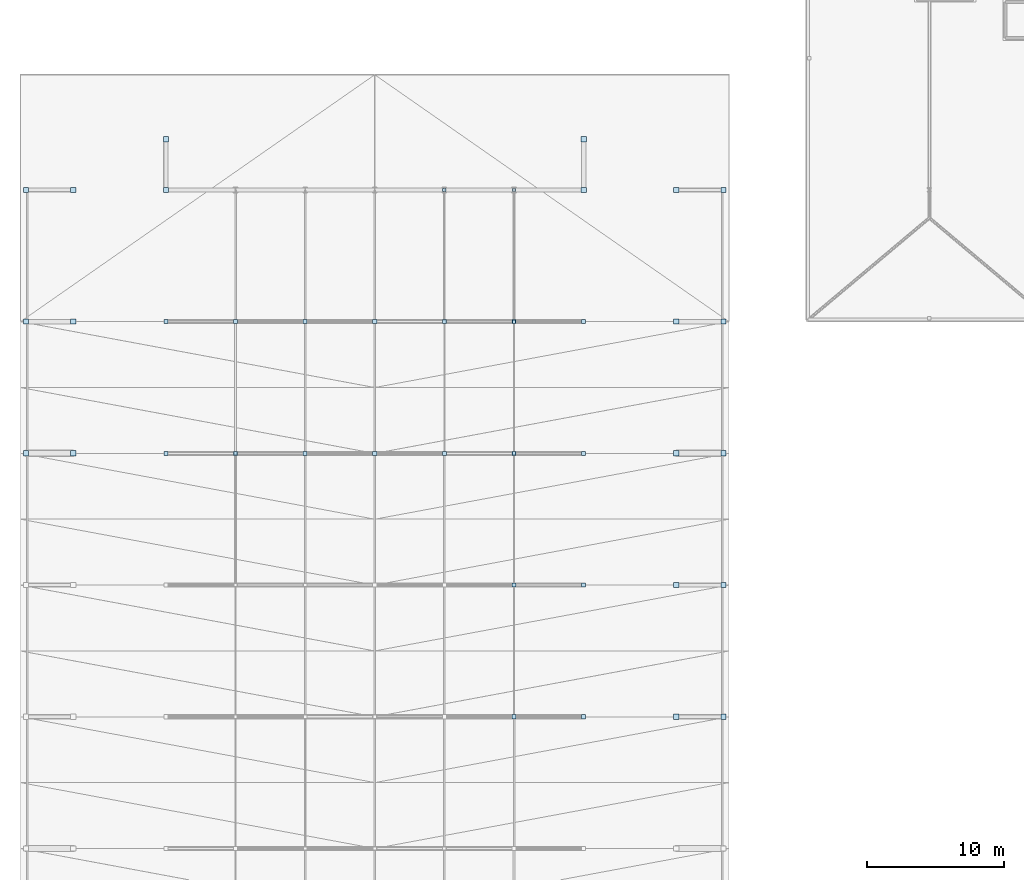
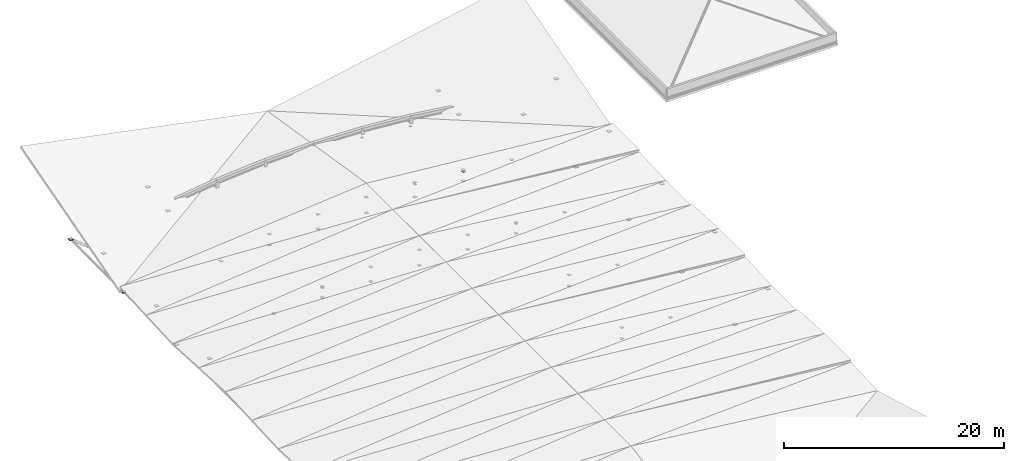
# One storey, part 13 of 16: 57 plates.
"""IFC4 building model written with IfcOpenShell, lengths in metres."""

from ifc_helpers import new_model, si_unit, direction, frame, origin, origin_2d, place, context, subcontext, project, spatial, rectangle, extrude, material, layer, layer_set, type_object, element, save


model = new_model("IFC4")

# Units and contexts
model_context = context("Model", 3, precision=1e-05, world=origin(), true_north=direction((0.0, 1.0)))
body_context = subcontext(model_context, "Body", "Model", "MODEL_VIEW")
ifc_project = project(units=[si_unit("LENGTHUNIT", "METRE"), si_unit("AREAUNIT", "SQUARE_METRE"), si_unit("VOLUMEUNIT", "CUBIC_METRE"), si_unit("PLANEANGLEUNIT", "RADIAN"), si_unit("MASSUNIT", "GRAM", prefix="KILO")], contexts=[model_context])

# Site, building, storey
site_placement = place(None, origin())
site = spatial("IfcSite", under=ifc_project, at=site_placement, CompositionType="ELEMENT")
building_placement = place(site_placement, origin())
building = spatial("IfcBuilding", under=site, at=building_placement, Name="Myrtia Square Station", CompositionType="ELEMENT")
storey_placement = place(building_placement, frame((0.0, 0.0, 22.800048828125)))
storey = spatial("IfcBuildingStorey", under=building, at=storey_placement, Name="RF", CompositionType="ELEMENT", Elevation=22.800048828125)

# Plates
ifc_material = material(Name="Steel S355", Category="steel")
ifc_layer_1 = layer(ifc_material, 0.01611328125, Name="Steel S355")
ifc_layer_set_1 = layer_set([ifc_layer_1], Name="Steel S355")
plate_type_1 = type_object("IfcPlateType", Name="PLT-GUS16", PredefinedType="USERDEFINED", material=ifc_layer_set_1)
for number, where, z_axis, x_axis, name in (
    (1, (84.425048828125, 76.800048828125, -0.4013671875), (0.0, 0.0, 1.0), (0.0, 1.0, 0.0), "Truss node gusset plate PUR-RF-0036-2"),
    (2, (104.72509765625, 76.800048828125, -0.4013671875), (0.0, 0.0, 1.0), (0.0, 1.0, 0.0), "Truss node gusset plate PUR-RF-0049-1"),
    (3, (104.72509765625, 86.39990234375, -0.4013671875), (0.0, 0.0, 1.0), (0.0, 1.0, 0.0), "Truss node gusset plate PUR-RF-0049-2"),
    (4, (99.64990234375, 86.39990234375, -0.081298828125), (0.0, 0.0, 1.0), (0.0, 1.0, 0.0), "Truss node gusset plate PUR-RF-0057-1"),
    (5, (99.64990234375, 96.0, -0.7197265625), (0.0, 0.0, 1.0), (0.0, 1.0, 0.0), "Truss node gusset plate PUR-RF-0057-2"),
    (6, (104.72509765625, 86.39990234375, -0.4814453125), (0.0, 0.0, 1.0), (0.0, 1.0, 0.0), "Truss node gusset plate PUR-RF-0058-1"),
    (7, (104.72509765625, 96.0, -1.24951171875), (0.0, 0.0, 1.0), (0.0, 1.0, 0.0), "Truss node gusset plate PUR-RF-0058-2"),
):
    element("IfcPlate", number, at=place(storey_placement, frame(where, z_axis=z_axis, x_axis=x_axis)), inside=storey, type_object=plate_type_1, Name=name, ObjectType="GUSSET PLATE", PredefinedType="USERDEFINED", context=body_context, shape_type="SweptSolid", body=[
        extrude(rectangle(XDim=0.239990234375, YDim=0.239990234375, at=origin_2d()), origin(), (0.0, 0.0, 1.0), 0.01611328125),
    ])
ifc_layer_2 = layer(ifc_material, 0.02001953125, Name="Steel S355")
ifc_layer_set_2 = layer_set([ifc_layer_2], Name="Steel S355")
plate_type_2 = type_object("IfcPlateType", Name="PLT-GUS20", PredefinedType="USERDEFINED", material=ifc_layer_set_2)
for number, where, z_axis, x_axis, name in (
    (8, (104.72509765625, 57.60009765625, -0.2431640625), (0.0, 0.0, 1.0), (1.0, 0.0, 0.0), "Truss node gusset plate BAT-04-D5-2"),
    (9, (104.72509765625, 57.60009765625, -1.4599609375), (0.0, 0.0, 1.0), (1.0, 0.0, 0.0), "Truss node gusset plate BAT-04-D6-1"),
    (10, (109.800048828125, 57.60009765625, -0.91015625), (0.0, 0.0, 1.0), (1.0, 0.0, 0.0), "Truss node gusset plate BAT-04-D6-2"),
    (11, (104.72509765625, 67.199951171875, -0.2431640625), (0.0, 0.0, 1.0), (1.0, 0.0, 0.0), "Truss node gusset plate BAT-05-D5-2"),
    (12, (104.72509765625, 67.199951171875, -1.4599609375), (0.0, 0.0, 1.0), (1.0, 0.0, 0.0), "Truss node gusset plate BAT-05-D6-1"),
    (13, (109.800048828125, 67.199951171875, -0.91015625), (0.0, 0.0, 1.0), (1.0, 0.0, 0.0), "Truss node gusset plate BAT-05-D6-2"),
    (14, (79.35009765625, 76.800048828125, -1.4599609375), (0.0, 0.0, 1.0), (1.0, 0.0, 0.0), "Truss node gusset plate BAT-06-D1-1"),
    (15, (84.425048828125, 76.800048828125, -0.2431640625), (0.0, 0.0, 1.0), (1.0, 0.0, 0.0), "Truss node gusset plate BAT-06-D1-2"),
    (16, (84.425048828125, 76.800048828125, -1.4599609375), (0.0, 0.0, 1.0), (1.0, 0.0, 0.0), "Truss node gusset plate BAT-06-D2-1"),
    (17, (89.5, 76.800048828125, 0.156982421875), (0.0, 0.0, 1.0), (1.0, 0.0, 0.0), "Truss node gusset plate BAT-06-D2-2"),
    (18, (89.5, 76.800048828125, -1.4599609375), (0.0, 0.0, 1.0), (1.0, 0.0, 0.0), "Truss node gusset plate BAT-06-D3-1"),
    (19, (94.574951171875, 76.800048828125, 0.2900390625), (0.0, 0.0, 1.0), (1.0, 0.0, 0.0), "Truss node gusset plate BAT-06-D3-2"),
    (20, (94.574951171875, 76.800048828125, -1.4599609375), (0.0, 0.0, 1.0), (1.0, 0.0, 0.0), "Truss node gusset plate BAT-06-D4-1"),
    (21, (99.64990234375, 76.800048828125, 0.156982421875), (0.0, 0.0, 1.0), (1.0, 0.0, 0.0), "Truss node gusset plate BAT-06-D4-2"),
    (22, (99.64990234375, 76.800048828125, -1.4599609375), (0.0, 0.0, 1.0), (1.0, 0.0, 0.0), "Truss node gusset plate BAT-06-D5-1"),
    (23, (104.72509765625, 76.800048828125, -0.2431640625), (0.0, 0.0, 1.0), (1.0, 0.0, 0.0), "Truss node gusset plate BAT-06-D5-2"),
    (24, (104.72509765625, 76.800048828125, -1.4599609375), (0.0, 0.0, 1.0), (1.0, 0.0, 0.0), "Truss node gusset plate BAT-06-D6-1"),
    (25, (109.800048828125, 76.800048828125, -0.91015625), (0.0, 0.0, 1.0), (1.0, 0.0, 0.0), "Truss node gusset plate BAT-06-D6-2"),
    (26, (79.35009765625, 86.39990234375, -1.4599609375), (0.0, 0.0, 1.0), (1.0, 0.0, 0.0), "Truss node gusset plate BAT-07-D1-1"),
    (27, (84.425048828125, 86.39990234375, -0.2431640625), (0.0, 0.0, 1.0), (1.0, 0.0, 0.0), "Truss node gusset plate BAT-07-D1-2"),
    (28, (84.425048828125, 86.39990234375, -1.4599609375), (0.0, 0.0, 1.0), (1.0, 0.0, 0.0), "Truss node gusset plate BAT-07-D2-1"),
    (29, (89.5, 86.39990234375, 0.156982421875), (0.0, 0.0, 1.0), (1.0, 0.0, 0.0), "Truss node gusset plate BAT-07-D2-2"),
    (30, (89.5, 86.39990234375, -1.4599609375), (0.0, 0.0, 1.0), (1.0, 0.0, 0.0), "Truss node gusset plate BAT-07-D3-1"),
    (31, (94.574951171875, 86.39990234375, 0.2900390625), (0.0, 0.0, 1.0), (1.0, 0.0, 0.0), "Truss node gusset plate BAT-07-D3-2"),
    (32, (94.574951171875, 86.39990234375, -1.4599609375), (0.0, 0.0, 1.0), (1.0, 0.0, 0.0), "Truss node gusset plate BAT-07-D4-1"),
    (33, (99.64990234375, 86.39990234375, 0.156982421875), (0.0, 0.0, 1.0), (1.0, 0.0, 0.0), "Truss node gusset plate BAT-07-D4-2"),
    (34, (99.64990234375, 86.39990234375, -1.4599609375), (0.0, 0.0, 1.0), (1.0, 0.0, 0.0), "Truss node gusset plate BAT-07-D5-1"),
    (35, (104.72509765625, 86.39990234375, -0.2431640625), (0.0, 0.0, 1.0), (1.0, 0.0, 0.0), "Truss node gusset plate BAT-07-D5-2"),
    (36, (104.72509765625, 86.39990234375, -1.4599609375), (0.0, 0.0, 1.0), (1.0, 0.0, 0.0), "Truss node gusset plate BAT-07-D6-1"),
    (37, (109.800048828125, 86.39990234375, -0.91015625), (0.0, 0.0, 1.0), (1.0, 0.0, 0.0), "Truss node gusset plate BAT-07-D6-2"),
):
    element("IfcPlate", number, at=place(storey_placement, frame(where, z_axis=z_axis, x_axis=x_axis)), inside=storey, type_object=plate_type_2, Name=name, ObjectType="GUSSET PLATE", PredefinedType="USERDEFINED", context=body_context, shape_type="SweptSolid", body=[
        extrude(rectangle(XDim=0.300048828125, YDim=0.300048828125, at=origin_2d()), origin(), (0.0, 0.0, 1.0), 0.02001953125),
    ])
ifc_layer_3 = layer(ifc_material, 0.02490234375, Name="Steel S355")
ifc_layer_set_3 = layer_set([ifc_layer_3], Name="Steel S355")
plate_type_3 = type_object("IfcPlateType", Name="PLT-GUS25", PredefinedType="USERDEFINED", material=ifc_layer_set_3)
for number, where, z_axis, x_axis, name in (
    (38, (116.550048828125, 57.60009765625, -4.0625), (0.0, 0.0, 1.0), (1.0, 0.0, 0.0), "Truss node gusset plate STR-UP-012-1"),
    (39, (120.0, 57.60009765625, -1.3173828125), (0.0, 0.0, 1.0), (1.0, 0.0, 0.0), "Truss node gusset plate STR-UP-012-2"),
    (40, (116.550048828125, 67.199951171875, -4.0625), (0.0, 0.0, 1.0), (1.0, 0.0, 0.0), "Truss node gusset plate STR-UP-016-1"),
    (41, (120.0, 67.199951171875, -0.8173828125), (0.0, 0.0, 1.0), (1.0, 0.0, 0.0), "Truss node gusset plate STR-UP-016-2"),
    (42, (72.60009765625, 76.800048828125, -4.0625), (0.0, 0.0, 1.0), (-1.0, 0.0, 0.0), "Truss node gusset plate STR-UP-019-1"),
    (43, (69.14990234375, 76.800048828125, -1.3173828125), (0.0, 0.0, 1.0), (-1.0, 0.0, 0.0), "Truss node gusset plate STR-UP-019-2"),
    (44, (116.550048828125, 76.800048828125, -4.0625), (0.0, 0.0, 1.0), (1.0, 0.0, 0.0), "Truss node gusset plate STR-UP-020-1"),
    (45, (120.0, 76.800048828125, -1.3173828125), (0.0, 0.0, 1.0), (1.0, 0.0, 0.0), "Truss node gusset plate STR-UP-020-2"),
    (46, (72.60009765625, 86.39990234375, -4.0625), (0.0, 0.0, 1.0), (-1.0, 0.0, 0.0), "Truss node gusset plate STR-UP-023-1"),
    (47, (69.14990234375, 86.39990234375, -1.3173828125), (0.0, 0.0, 1.0), (-1.0, 0.0, 0.0), "Truss node gusset plate STR-UP-023-2"),
    (48, (116.550048828125, 86.39990234375, -4.0625), (0.0, 0.0, 1.0), (1.0, 0.0, 0.0), "Truss node gusset plate STR-UP-024-1"),
    (49, (120.0, 86.39990234375, -1.3173828125), (0.0, 0.0, 1.0), (1.0, 0.0, 0.0), "Truss node gusset plate STR-UP-024-2"),
    (50, (72.60009765625, 96.0, -4.0625), (0.0, 0.0, 1.0), (-1.0, 0.0, 0.0), "Truss node gusset plate STR-UP-026-1"),
    (51, (69.14990234375, 96.0, -1.3173828125), (0.0, 0.0, 1.0), (-1.0, 0.0, 0.0), "Truss node gusset plate STR-UP-026-2"),
    (52, (116.550048828125, 96.0, -4.0625), (0.0, 0.0, 1.0), (1.0, 0.0, 0.0), "Truss node gusset plate STR-UP-027-1"),
    (53, (120.0, 96.0, -1.3173828125), (0.0, 0.0, 1.0), (1.0, 0.0, 0.0), "Truss node gusset plate STR-UP-027-2"),
    (54, (79.35009765625, 96.0, -1.71240234375), (0.0, 0.0, 1.0), (0.0, 1.0, 0.0), "Truss node gusset plate STR-UP-GAB-030-1"),
    (55, (79.35009765625, 99.699951171875, -1.3173828125), (0.0, 0.0, 1.0), (0.0, 1.0, 0.0), "Truss node gusset plate STR-UP-GAB-030-2"),
    (56, (109.800048828125, 96.0, -1.71240234375), (0.0, 0.0, 1.0), (0.0, 1.0, 0.0), "Truss node gusset plate STR-UP-GAB-032-1"),
    (57, (109.800048828125, 99.699951171875, -1.3173828125), (0.0, 0.0, 1.0), (0.0, 1.0, 0.0), "Truss node gusset plate STR-UP-GAB-032-2"),
):
    element("IfcPlate", number, at=place(storey_placement, frame(where, z_axis=z_axis, x_axis=x_axis)), inside=storey, type_object=plate_type_3, Name=name, ObjectType="GUSSET PLATE", PredefinedType="USERDEFINED", context=body_context, shape_type="SweptSolid", body=[
        extrude(rectangle(XDim=0.3798828125, YDim=0.3798828125, at=origin_2d()), origin(), (0.0, 0.0, 1.0), 0.02490234375),
    ])

save(model, "model.ifc")
